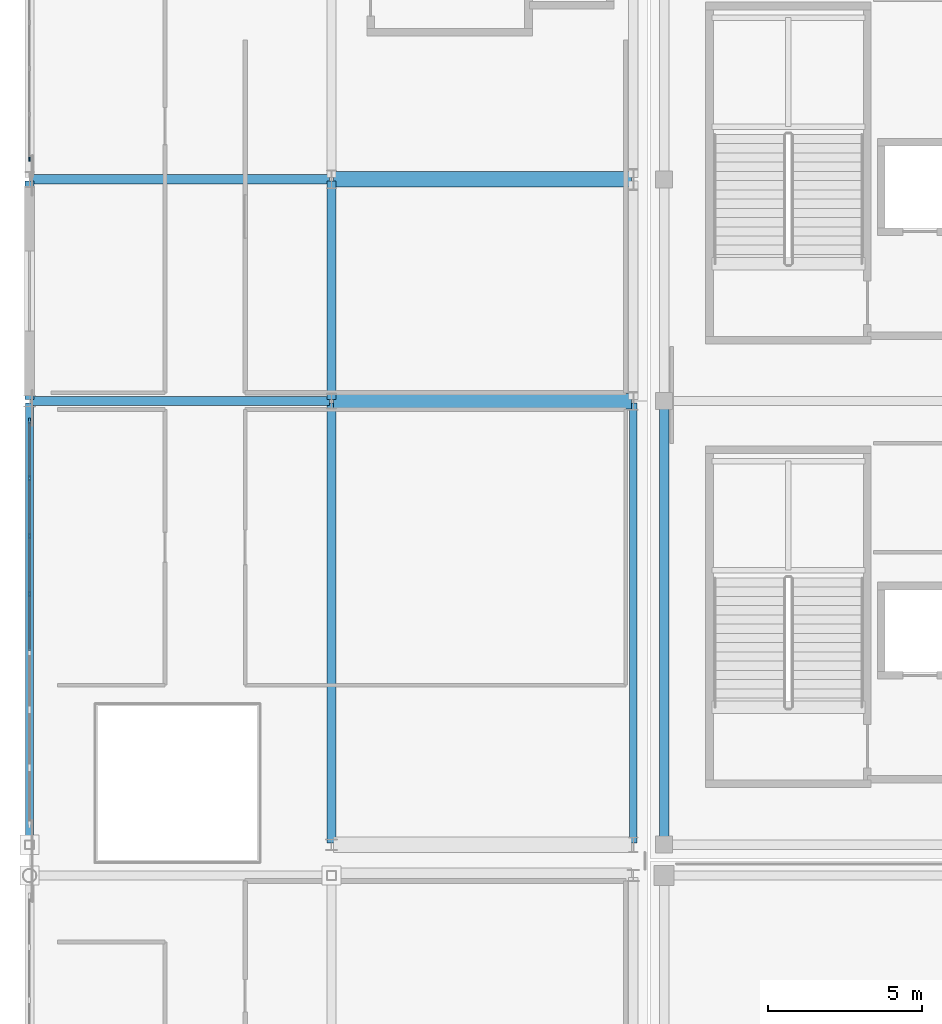
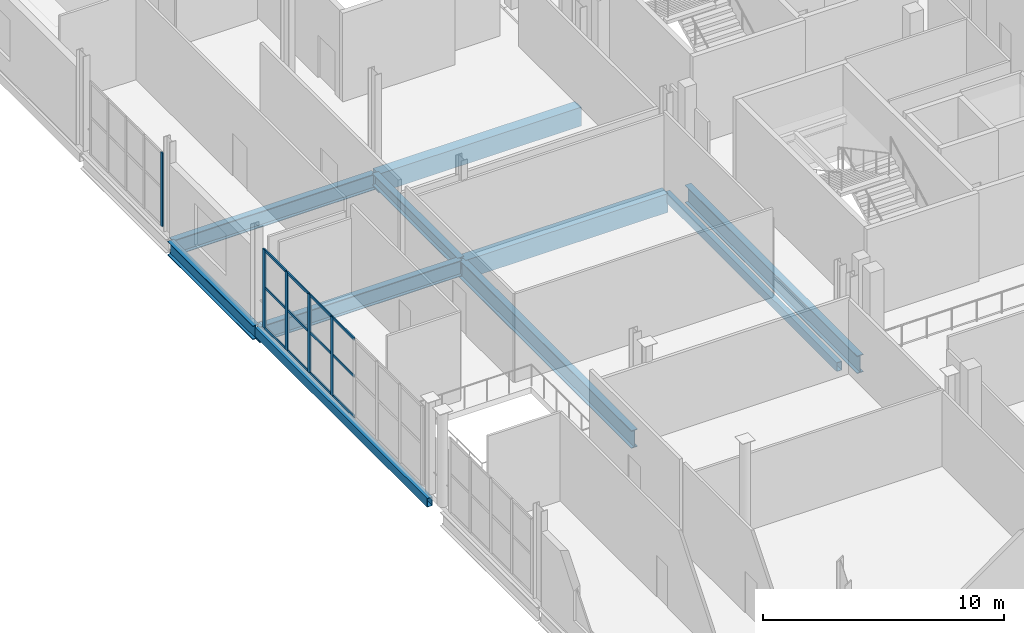
# One storey, part 18 of 142: 17 members, 10 beams, 2 elements without a shape of their own.
"""IFC4 building model written with IfcOpenShell, lengths in metres."""

from ifc_helpers import new_model, si_unit, direction, frame, origin, origin_2d, place, context, subcontext, project, spatial, rectangle, hollow_rectangle, i_section, extrude, material, material_profile, profile_set, type_object, element, aggregate, save


model = new_model("IFC4")

# Units and contexts
model_context = context("Model", 3, precision=1e-05, world=origin(), true_north=direction((0.0, 1.0)))
body_context = subcontext(model_context, "Body", "Model", "MODEL_VIEW")
ifc_project = project(units=[si_unit("LENGTHUNIT", "METRE"), si_unit("AREAUNIT", "SQUARE_METRE"), si_unit("VOLUMEUNIT", "CUBIC_METRE"), si_unit("PLANEANGLEUNIT", "RADIAN"), si_unit("MASSUNIT", "GRAM", prefix="KILO")], contexts=[model_context])

# Site, building, storey
site_placement = place(None, origin())
site = spatial("IfcSite", under=ifc_project, at=site_placement, CompositionType="ELEMENT")
building_placement = place(site_placement, origin())
building = spatial("IfcBuilding", under=site, at=building_placement, Name="Koshinbarg Plaza Stadium", CompositionType="ELEMENT")
storey_placement = place(building_placement, frame((0.0, 0.0, 10.199951171875)))
storey = spatial("IfcBuildingStorey", under=building, at=storey_placement, Name="L02", CompositionType="ELEMENT", Elevation=10.199951171875)

# Beams
ifc_material_1 = material(Name="Concrete C40/50", Category="concrete")
ifc_material_profile_1 = material_profile(ifc_material_1, rectangle(XDim=0.5, YDim=0.949951171875, at=origin_2d()), Name="RC 500x950")
ifc_profile_set_1 = profile_set([ifc_material_profile_1], Name="Concrete C40/50")
beam_type_1 = type_object("IfcBeamType", Name="BM-RCG-06", PredefinedType="USERDEFINED", material=ifc_profile_set_1)
for number, where, z_axis, x_axis, name in (
    (1, (13.860107421875, 39.89990234375, -0.77490234375), (1.0, 0.0, 0.0), (0.0, 1.0, 0.0), "L02 X girder F/3-4"),
    (2, (13.860107421875, 47.10009765625, -0.77490234375), (1.0, 0.0, 0.0), (0.0, 1.0, 0.0), "L02 X girder G/3-4"),
):
    element("IfcBeam", number, at=place(storey_placement, frame(where, z_axis=z_axis, x_axis=x_axis)), inside=storey, type_object=beam_type_1, Name=name, ObjectType="GIRDER", PredefinedType="USERDEFINED", context=body_context, shape_type="SweptSolid", body=[
        extrude(rectangle(XDim=0.5, YDim=0.949951171875, at=origin_2d()), origin(), (0.0, 0.0, 1.0), 9.679931640625),
    ])
ifc_material_2 = material(Name="Steel S355", Category="steel")
ifc_material_profile_2 = material_profile(ifc_material_2, i_section(OverallWidth=0.300048828125, OverallDepth=0.60009765625, WebThickness=0.015380859375, FlangeThickness=0.030029296875, at=origin_2d()), Name="HEB 600")
ifc_profile_set_2 = profile_set([ifc_material_profile_2], Name="Steel S355")
beam_type_2 = type_object("IfcBeamType", Name="BM-SGIR-02", PredefinedType="USERDEFINED", material=ifc_profile_set_2)
beam_1_placement = place(storey_placement, frame((13.800048828125, 39.9599609375, -0.599853515625), z_axis=(0.0, 1.0, 0.0), x_axis=(-1.0, 0.0, 0.0)))
element("IfcBeam", 3, at=beam_1_placement, inside=storey, type_object=beam_type_2, Name="L02 Y girder 3/F-G", ObjectType="GIRDER", PredefinedType="USERDEFINED", context=body_context, shape_type="SweptSolid", body=[
    extrude(i_section(OverallWidth=0.300048828125, OverallDepth=0.60009765625, WebThickness=0.015380859375, FlangeThickness=0.030029296875, at=origin_2d()), origin(), (0.0, 0.0, 1.0), 7.080078125),
])
ifc_material_profile_3 = material_profile(ifc_material_2, i_section(OverallWidth=0.300048828125, OverallDepth=0.699951171875, WebThickness=0.01708984375, FlangeThickness=0.031982421875, at=origin_2d()), Name="HEB 700")
ifc_profile_set_3 = profile_set([ifc_material_profile_3], Name="Steel S355")
beam_type_3 = type_object("IfcBeamType", Name="BM-SGIR-03", PredefinedType="USERDEFINED", material=ifc_profile_set_3)
beam_2_placement = place(storey_placement, frame((4.0, 39.9599609375, -0.64990234375), z_axis=(0.0, 1.0, 0.0), x_axis=(-1.0, 0.0, 0.0)))
element("IfcBeam", 4, at=beam_2_placement, inside=storey, type_object=beam_type_3, Name="L02 Y girder 2/F-G", ObjectType="GIRDER", PredefinedType="USERDEFINED", context=body_context, shape_type="SweptSolid", body=[
    extrude(i_section(OverallWidth=0.300048828125, OverallDepth=0.699951171875, WebThickness=0.01708984375, FlangeThickness=0.031982421875, at=origin_2d()), origin(), (0.0, 0.0, 1.0), 7.080078125),
])
ifc_material_profile_4 = material_profile(ifc_material_2, i_section(OverallWidth=0.300048828125, OverallDepth=0.800048828125, WebThickness=0.017578125, FlangeThickness=0.032958984375, at=origin_2d()), Name="HEB 800")
ifc_profile_set_4 = profile_set([ifc_material_profile_4], Name="Steel S355")
beam_type_4 = type_object("IfcBeamType", Name="BM-SGIR-04", PredefinedType="USERDEFINED", material=ifc_profile_set_4)
for number, where, z_axis, x_axis, name in (
    (5, (4.06005859375, 39.89990234375, -0.699951171875), (1.0, 0.0, 0.0), (0.0, 1.0, 0.0), "L02 X girder F/2-3"),
    (6, (4.06005859375, 47.10009765625, -0.699951171875), (1.0, 0.0, 0.0), (0.0, 1.0, 0.0), "L02 X girder G/2-3"),
):
    element("IfcBeam", number, at=place(storey_placement, frame(where, z_axis=z_axis, x_axis=x_axis)), inside=storey, type_object=beam_type_4, Name=name, ObjectType="GIRDER", PredefinedType="USERDEFINED", context=body_context, shape_type="SweptSolid", body=[
        extrude(i_section(OverallWidth=0.300048828125, OverallDepth=0.800048828125, WebThickness=0.017578125, FlangeThickness=0.032958984375, at=origin_2d()), origin(), (0.0, 0.0, 1.0), 9.679931640625),
    ])
ifc_material_profile_5 = material_profile(ifc_material_2, i_section(OverallWidth=0.300048828125, OverallDepth=0.89990234375, WebThickness=0.0185546875, FlangeThickness=0.034912109375, at=origin_2d()), Name="HEB 900")
ifc_profile_set_5 = profile_set([ifc_material_profile_5], Name="Steel S355")
beam_type_5 = type_object("IfcBeamType", Name="BM-SGIR-05", PredefinedType="USERDEFINED", material=ifc_profile_set_5)
for number, where, z_axis, x_axis, name in (
    (7, (13.800048828125, 25.56005859375, -0.75), (0.0, 1.0, 0.0), (-1.0, 0.0, 0.0), "L02 Y girder 3/E-F"),
    (8, (24.60009765625, 25.56005859375, -0.75), (0.0, 1.0, 0.0), (-1.0, 0.0, 0.0), "L02 Y girder 5/E-F"),
):
    element("IfcBeam", number, at=place(storey_placement, frame(where, z_axis=z_axis, x_axis=x_axis)), inside=storey, type_object=beam_type_5, Name=name, ObjectType="GIRDER", PredefinedType="USERDEFINED", context=body_context, shape_type="SweptSolid", body=[
        extrude(i_section(OverallWidth=0.300048828125, OverallDepth=0.89990234375, WebThickness=0.0185546875, FlangeThickness=0.034912109375, at=origin_2d()), origin(), (0.0, 0.0, 1.0), 14.280029296875),
    ])
ifc_material_profile_6 = material_profile(ifc_material_2, hollow_rectangle(XDim=0.25, YDim=0.449951171875, WallThickness=0.01611328125, at=origin_2d()), Name="RHS 450x250x16")
ifc_profile_set_6 = profile_set([ifc_material_profile_6], Name="Steel S355")
beam_type_6 = type_object("IfcBeamType", Name="BM-SGIR-06", PredefinedType="USERDEFINED", material=ifc_profile_set_6)
for number, where, z_axis, x_axis, name in (
    (9, (4.0, 25.56005859375, -0.52490234375), (0.0, 1.0, 0.0), (-1.0, 0.0, 0.0), "L02 Y girder 2/E-F"),
    (10, (23.60009765625, 25.56005859375, -0.52490234375), (0.0, 1.0, 0.0), (-1.0, 0.0, 0.0), "L02 Y girder 4/E-F"),
):
    element("IfcBeam", number, at=place(storey_placement, frame(where, z_axis=z_axis, x_axis=x_axis)), inside=storey, type_object=beam_type_6, Name=name, ObjectType="GIRDER", PredefinedType="USERDEFINED", context=body_context, shape_type="SweptSolid", body=[
        extrude(hollow_rectangle(XDim=0.25, YDim=0.449951171875, WallThickness=0.01611328125, at=origin_2d()), origin(), (0.0, 0.0, 1.0), 14.280029296875),
    ])

# Curtain wall, member
ifc_material_3 = material(Name="Thermally broken anodised aluminium and low-E double glazing", Category="aluminium")
curtain_wall_type_1 = type_object("IfcCurtainWallType", Name="CW-SYS-09", PredefinedType="NOTDEFINED", material=ifc_material_3)
curtain_wall_1_placement = place(storey_placement, origin())
curtain_wall_1 = element("IfcCurtainWall", 11, at=curtain_wall_1_placement, inside=storey, type_object=curtain_wall_type_1, Name="L02 unitised curtain wall CW-L02-040", PredefinedType="NOTDEFINED")
ifc_material_4 = material(Name="Anodised aluminium mullion", Category="aluminium")
ifc_material_profile_7 = material_profile(ifc_material_4, rectangle(XDim=0.06005859375, YDim=0.139892578125, at=origin_2d()), Name="ALU 60x140")
ifc_profile_set_7 = profile_set([ifc_material_profile_7], Name="Anodised aluminium mullion")
member_type_1 = type_object("IfcMemberType", Name="CW-MUL-01", PredefinedType="MULLION", material=ifc_profile_set_7)
member_1_placement = place(storey_placement, frame((4.0, 47.75, 0.0), z_axis=(0.0, 0.0, 1.0), x_axis=(-1.0, 0.0, 0.0)))
member_1 = element("IfcMember", 12, at=member_1_placement, type_object=member_type_1, Name="CW09 mullion 1", PredefinedType="MULLION", context=body_context, shape_type="SweptSolid", body=[
    extrude(rectangle(XDim=0.06005859375, YDim=0.139892578125, at=origin_2d()), origin(), (0.0, 0.0, 1.0), 3.719970703125),
])
aggregate(curtain_wall_1, [member_1])

# Curtain wall, members
curtain_wall_type_2 = type_object("IfcCurtainWallType", Name="CW-SYS-08", PredefinedType="NOTDEFINED", material=ifc_material_3)
curtain_wall_2_placement = place(storey_placement, origin())
curtain_wall_2 = element("IfcCurtainWall", 13, at=curtain_wall_2_placement, inside=storey, type_object=curtain_wall_type_2, Name="L02 unitised curtain wall CW-L02-039", PredefinedType="NOTDEFINED")
ifc_material_profile_8 = material_profile(ifc_material_4, rectangle(XDim=0.070068359375, YDim=0.199951171875, at=origin_2d()), Name="ALU 70x200")
ifc_profile_set_8 = profile_set([ifc_material_profile_8], Name="Anodised aluminium mullion")
member_type_2 = type_object("IfcMemberType", Name="CW-MUL-04", PredefinedType="MULLION", material=ifc_profile_set_8)
member_2_placement = place(storey_placement, frame((4.0, 33.639892578125, 0.0), z_axis=(0.0, 0.0, 1.0), x_axis=(-1.0, 0.0, 0.0)))
member_2 = element("IfcMember", 14, at=member_2_placement, type_object=member_type_2, Name="CW08 mullion 5", PredefinedType="MULLION", context=body_context, shape_type="SweptSolid", body=[
    extrude(rectangle(XDim=0.070068359375, YDim=0.199951171875, at=origin_2d()), origin(), (0.0, 0.0, 1.0), 3.969970703125),
])
member_3_placement = place(storey_placement, frame((4.0, 35.52001953125, 0.0), z_axis=(0.0, 0.0, 1.0), x_axis=(-1.0, 0.0, 0.0)))
member_3 = element("IfcMember", 15, at=member_3_placement, type_object=member_type_2, Name="CW08 mullion 6", PredefinedType="MULLION", context=body_context, shape_type="SweptSolid", body=[
    extrude(rectangle(XDim=0.070068359375, YDim=0.199951171875, at=origin_2d()), origin(), (0.0, 0.0, 1.0), 3.969970703125),
])
member_4_placement = place(storey_placement, frame((4.0, 37.39990234375, 0.0), z_axis=(0.0, 0.0, 1.0), x_axis=(-1.0, 0.0, 0.0)))
member_4 = element("IfcMember", 16, at=member_4_placement, type_object=member_type_2, Name="CW08 mullion 7", PredefinedType="MULLION", context=body_context, shape_type="SweptSolid", body=[
    extrude(rectangle(XDim=0.070068359375, YDim=0.199951171875, at=origin_2d()), origin(), (0.0, 0.0, 1.0), 3.969970703125),
])
member_5_placement = place(storey_placement, frame((4.0, 39.25, 0.0), z_axis=(0.0, 0.0, 1.0), x_axis=(-1.0, 0.0, 0.0)))
member_5 = element("IfcMember", 17, at=member_5_placement, type_object=member_type_2, Name="CW08 mullion 8", PredefinedType="MULLION", context=body_context, shape_type="SweptSolid", body=[
    extrude(rectangle(XDim=0.070068359375, YDim=0.199951171875, at=origin_2d()), origin(), (0.0, 0.0, 1.0), 3.969970703125),
])
ifc_material_5 = material(Name="Anodised aluminium transom", Category="aluminium")
ifc_material_profile_9 = material_profile(ifc_material_5, rectangle(XDim=0.06005859375, YDim=0.1298828125, at=origin_2d()), Name="ALU 60x130")
ifc_profile_set_9 = profile_set([ifc_material_profile_9], Name="Anodised aluminium transom")
member_type_3 = type_object("IfcMemberType", Name="CW-TRN-02", PredefinedType="USERDEFINED", material=ifc_profile_set_9)
member_6_placement = place(storey_placement, frame((4.0, 31.7900390625, 0.030029296875), z_axis=(0.0, 1.0, 0.0), x_axis=(-1.0, 0.0, 0.0)))
member_6 = element("IfcMember", 18, at=member_6_placement, type_object=member_type_3, Name="CW08 transom 4.1", ObjectType="TRANSOM", PredefinedType="USERDEFINED", context=body_context, shape_type="SweptSolid", body=[
    extrude(rectangle(XDim=0.06005859375, YDim=0.1298828125, at=origin_2d()), origin(), (0.0, 0.0, 1.0), 1.820068359375),
])
member_7_placement = place(storey_placement, frame((4.0, 31.7900390625, 2.064453125), z_axis=(0.0, 1.0, 0.0), x_axis=(-1.0, 0.0, 0.0)))
member_7 = element("IfcMember", 19, at=member_7_placement, type_object=member_type_3, Name="CW08 transom 4.2", ObjectType="TRANSOM", PredefinedType="USERDEFINED", context=body_context, shape_type="SweptSolid", body=[
    extrude(rectangle(XDim=0.06005859375, YDim=0.1298828125, at=origin_2d()), origin(), (0.0, 0.0, 1.0), 1.820068359375),
])
member_8_placement = place(storey_placement, frame((4.0, 31.7900390625, 3.93994140625), z_axis=(0.0, 1.0, 0.0), x_axis=(-1.0, 0.0, 0.0)))
member_8 = element("IfcMember", 20, at=member_8_placement, type_object=member_type_3, Name="CW08 transom 4.3", ObjectType="TRANSOM", PredefinedType="USERDEFINED", context=body_context, shape_type="SweptSolid", body=[
    extrude(rectangle(XDim=0.06005859375, YDim=0.1298828125, at=origin_2d()), origin(), (0.0, 0.0, 1.0), 1.820068359375),
])
member_9_placement = place(storey_placement, frame((4.0, 33.669921875, 0.030029296875), z_axis=(0.0, 1.0, 0.0), x_axis=(-1.0, 0.0, 0.0)))
member_9 = element("IfcMember", 21, at=member_9_placement, type_object=member_type_3, Name="CW08 transom 5.1", ObjectType="TRANSOM", PredefinedType="USERDEFINED", context=body_context, shape_type="SweptSolid", body=[
    extrude(rectangle(XDim=0.06005859375, YDim=0.1298828125, at=origin_2d()), origin(), (0.0, 0.0, 1.0), 1.820068359375),
])
member_10_placement = place(storey_placement, frame((4.0, 33.669921875, 2.064453125), z_axis=(0.0, 1.0, 0.0), x_axis=(-1.0, 0.0, 0.0)))
member_10 = element("IfcMember", 22, at=member_10_placement, type_object=member_type_3, Name="CW08 transom 5.2", ObjectType="TRANSOM", PredefinedType="USERDEFINED", context=body_context, shape_type="SweptSolid", body=[
    extrude(rectangle(XDim=0.06005859375, YDim=0.1298828125, at=origin_2d()), origin(), (0.0, 0.0, 1.0), 1.820068359375),
])
member_11_placement = place(storey_placement, frame((4.0, 33.669921875, 3.93994140625), z_axis=(0.0, 1.0, 0.0), x_axis=(-1.0, 0.0, 0.0)))
member_11 = element("IfcMember", 23, at=member_11_placement, type_object=member_type_3, Name="CW08 transom 5.3", ObjectType="TRANSOM", PredefinedType="USERDEFINED", context=body_context, shape_type="SweptSolid", body=[
    extrude(rectangle(XDim=0.06005859375, YDim=0.1298828125, at=origin_2d()), origin(), (0.0, 0.0, 1.0), 1.820068359375),
])
member_12_placement = place(storey_placement, frame((4.0, 35.550048828125, 0.030029296875), z_axis=(0.0, 1.0, 0.0), x_axis=(-1.0, 0.0, 0.0)))
member_12 = element("IfcMember", 24, at=member_12_placement, type_object=member_type_3, Name="CW08 transom 6.1", ObjectType="TRANSOM", PredefinedType="USERDEFINED", context=body_context, shape_type="SweptSolid", body=[
    extrude(rectangle(XDim=0.06005859375, YDim=0.1298828125, at=origin_2d()), origin(), (0.0, 0.0, 1.0), 1.820068359375),
])
member_13_placement = place(storey_placement, frame((4.0, 35.550048828125, 2.064453125), z_axis=(0.0, 1.0, 0.0), x_axis=(-1.0, 0.0, 0.0)))
member_13 = element("IfcMember", 25, at=member_13_placement, type_object=member_type_3, Name="CW08 transom 6.2", ObjectType="TRANSOM", PredefinedType="USERDEFINED", context=body_context, shape_type="SweptSolid", body=[
    extrude(rectangle(XDim=0.06005859375, YDim=0.1298828125, at=origin_2d()), origin(), (0.0, 0.0, 1.0), 1.820068359375),
])
member_14_placement = place(storey_placement, frame((4.0, 35.550048828125, 3.93994140625), z_axis=(0.0, 1.0, 0.0), x_axis=(-1.0, 0.0, 0.0)))
member_14 = element("IfcMember", 26, at=member_14_placement, type_object=member_type_3, Name="CW08 transom 6.3", ObjectType="TRANSOM", PredefinedType="USERDEFINED", context=body_context, shape_type="SweptSolid", body=[
    extrude(rectangle(XDim=0.06005859375, YDim=0.1298828125, at=origin_2d()), origin(), (0.0, 0.0, 1.0), 1.820068359375),
])
member_15_placement = place(storey_placement, frame((4.0, 37.429931640625, 0.030029296875), z_axis=(0.0, 1.0, 0.0), x_axis=(-1.0, 0.0, 0.0)))
member_15 = element("IfcMember", 27, at=member_15_placement, type_object=member_type_3, Name="CW08 transom 7.1", ObjectType="TRANSOM", PredefinedType="USERDEFINED", context=body_context, shape_type="SweptSolid", body=[
    extrude(rectangle(XDim=0.06005859375, YDim=0.1298828125, at=origin_2d()), origin(), (0.0, 0.0, 1.0), 1.7900390625),
])
member_16_placement = place(storey_placement, frame((4.0, 37.429931640625, 2.064453125), z_axis=(0.0, 1.0, 0.0), x_axis=(-1.0, 0.0, 0.0)))
member_16 = element("IfcMember", 28, at=member_16_placement, type_object=member_type_3, Name="CW08 transom 7.2", ObjectType="TRANSOM", PredefinedType="USERDEFINED", context=body_context, shape_type="SweptSolid", body=[
    extrude(rectangle(XDim=0.06005859375, YDim=0.1298828125, at=origin_2d()), origin(), (0.0, 0.0, 1.0), 1.7900390625),
])
member_17_placement = place(storey_placement, frame((4.0, 37.429931640625, 3.93994140625), z_axis=(0.0, 1.0, 0.0), x_axis=(-1.0, 0.0, 0.0)))
member_17 = element("IfcMember", 29, at=member_17_placement, type_object=member_type_3, Name="CW08 transom 7.3", ObjectType="TRANSOM", PredefinedType="USERDEFINED", context=body_context, shape_type="SweptSolid", body=[
    extrude(rectangle(XDim=0.06005859375, YDim=0.1298828125, at=origin_2d()), origin(), (0.0, 0.0, 1.0), 1.7900390625),
])
aggregate(curtain_wall_2, [member_2, member_3, member_4, member_5, member_6, member_7, member_8, member_9, member_10, member_11, member_12, member_13, member_14, member_15, member_16, member_17])

save(model, "model.ifc")
